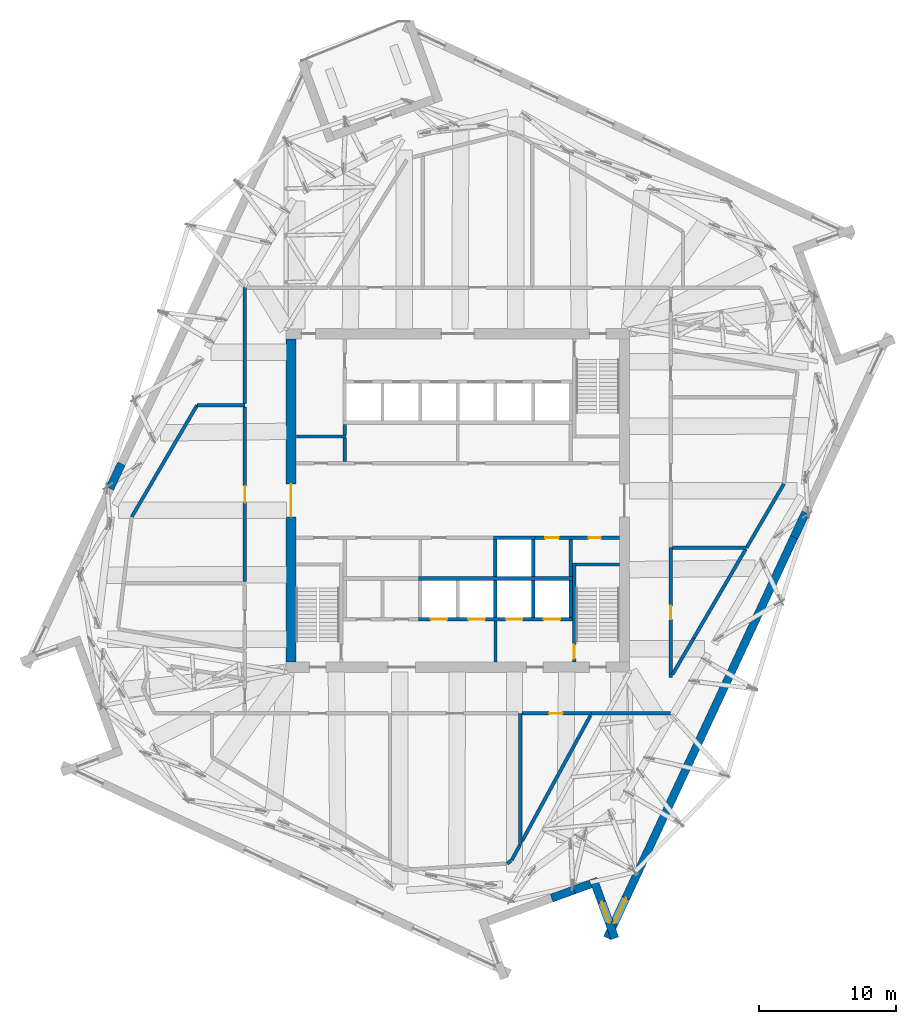
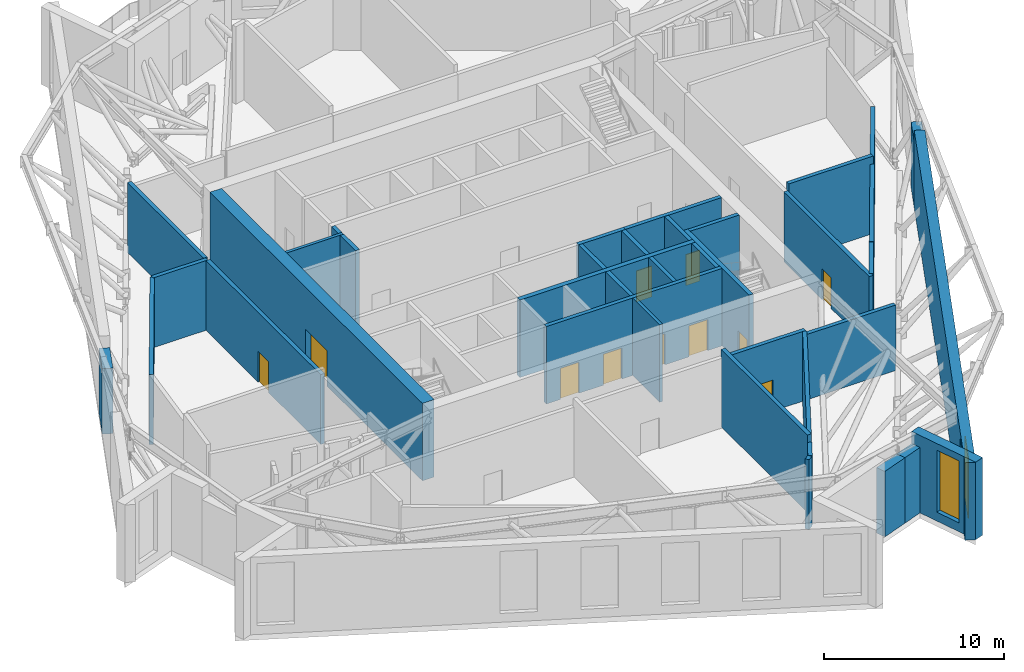
# One storey, part 6 of 15: 38 walls, 11 doors, 2 windows, 13 openings.
"""IFC4 building model written with IfcOpenShell, lengths in metres."""

from ifc_helpers import new_model, si_unit, direction, frame, frame_2d, origin, place, context, subcontext, project, spatial, rectangle, extrude, material, layer, layer_set, type_object, element, fill, save


model = new_model("IFC4")

# Units and contexts
model_context = context("Model", 3, precision=1e-05, world=origin(), true_north=direction((0.0, 1.0)))
body_context = subcontext(model_context, "Body", "Model", "MODEL_VIEW")
ifc_project = project(units=[si_unit("LENGTHUNIT", "METRE"), si_unit("AREAUNIT", "SQUARE_METRE"), si_unit("VOLUMEUNIT", "CUBIC_METRE"), si_unit("PLANEANGLEUNIT", "RADIAN"), si_unit("MASSUNIT", "GRAM", prefix="KILO")], contexts=[model_context])

# Site, building, storey
site_placement = place(None, origin())
site = spatial("IfcSite", under=ifc_project, at=site_placement, CompositionType="ELEMENT")
building_placement = place(site_placement, origin())
building = spatial("IfcBuilding", under=site, at=building_placement, Name="Dilmun Exchange Tower", CompositionType="ELEMENT")
storey_placement = place(building_placement, frame((0.0, 0.0, 290.89990234375)))
storey = spatial("IfcBuildingStorey", under=building, at=storey_placement, Name="L69", CompositionType="ELEMENT", Elevation=290.89990234375)

# Walls
ifc_material_1 = material(Name="Concrete C40/50", Category="concrete")
ifc_layer_1 = layer(ifc_material_1, 0.199951171875)
ifc_layer_set_1 = layer_set([ifc_layer_1], Name="Concrete C40/50")
wall_type_1 = type_object("IfcWallType", Name="Core partition wall 200", PredefinedType="PARTITIONING", material=ifc_layer_set_1)
wall_1_placement = place(storey_placement, frame((2.75, -11.794921875, 0.0), z_axis=(0.0, 0.0, 1.0), x_axis=(0.0, 1.0, 0.0)))
element("IfcWall", 1, at=wall_1_placement, inside=storey, type_object=wall_type_1, Name="L69 core partition wall 01", PredefinedType="PARTITIONING", context=body_context, shape_type="SweptSolid", body=[
    extrude(rectangle(XDim=2.989990234375, YDim=0.199951171875, at=frame_2d((1.4951171875, 0.0))), origin(), (0.0, 0.0, 1.0), 5.25),
])
wall_2_placement = place(storey_placement, frame((-11.794921875, 4.675048828125, 0.0), z_axis=(0.0, 0.0, 1.0), x_axis=(1.0, 0.0, 0.0)))
element("IfcWall", 2, at=wall_2_placement, inside=storey, type_object=wall_type_1, Name="L69 core partition wall 15", PredefinedType="PARTITIONING", context=body_context, shape_type="SweptSolid", body=[
    extrude(rectangle(XDim=3.64501953125, YDim=0.199951171875, at=frame_2d((1.822509765625, 0.0))), origin(), (0.0, 0.0, 1.0), 5.25),
])
ifc_layer_2 = layer(ifc_material_1, 0.25)
ifc_layer_set_2 = layer_set([ifc_layer_2], Name="Concrete C40/50")
wall_type_2 = type_object("IfcWallType", Name="Core partition wall 250", PredefinedType="PARTITIONING", material=ifc_layer_set_2)
wall_3_placement = place(storey_placement, frame((8.25, -5.544921875, 0.0), z_axis=(0.0, 0.0, 1.0), x_axis=(0.0, 1.0, 0.0)))
element("IfcWall", 3, at=wall_3_placement, inside=storey, type_object=wall_type_2, Name="L69 core partition wall 08", PredefinedType="PARTITIONING", context=body_context, shape_type="SweptSolid", body=[
    extrude(rectangle(XDim=2.68994140625, YDim=0.25, at=frame_2d((1.344970703125, 0.0))), origin(), (0.0, 0.0, 1.0), 5.25),
])

# Wall, openings, doors
wall_4_placement = place(storey_placement, frame((5.6298828125, -2.72509765625, 0.0), z_axis=(0.0, 0.0, 1.0), x_axis=(1.0, 0.0, 0.0)))
wall_4 = element("IfcWall", 4, at=wall_4_placement, inside=storey, type_object=wall_type_2, Name="L69 core partition wall 10", PredefinedType="PARTITIONING", context=body_context, shape_type="SweptSolid", body=[
    extrude(rectangle(XDim=6.1650390625, YDim=0.25, at=frame_2d((3.08251953125, 0.0))), origin(), (0.0, 0.0, 1.0), 5.25),
])
opening_1_placement = place(wall_4_placement, frame((0.7451171875, 0.0, 0.0)))
opening_1 = element("IfcOpeningElement", 5, at=opening_1_placement, cuts=wall_4, Name="Opening CD4", PredefinedType="OPENING", context=body_context, shape_type="SweptSolid", body=[
    extrude(rectangle(XDim=1.0, YDim=2.10009765625, at=frame_2d((0.5, 1.050048828125))), frame((0.0, 0.135009765625, 0.0), z_axis=(0.0, -1.0, 0.0), x_axis=(1.0, 0.0, 0.0)), (0.0, 0.0, 1.0), 0.27001953125),
])
opening_2_placement = place(wall_4_placement, frame((3.919921875, 0.0, 0.0)))
opening_2 = element("IfcOpeningElement", 6, at=opening_2_placement, cuts=wall_4, Name="Opening CD6", PredefinedType="OPENING", context=body_context, shape_type="SweptSolid", body=[
    extrude(rectangle(XDim=0.89990234375, YDim=2.10009765625, at=frame_2d((0.449951171875, 1.050048828125))), frame((0.0, 0.135009765625, 0.0), z_axis=(0.0, -1.0, 0.0), x_axis=(1.0, 0.0, 0.0)), (0.0, 0.0, 1.0), 0.27001953125),
])
ifc_material_2 = material(Name="Fire-rated steel door set", Category="steel")
door_type_1 = type_object("IfcDoorType", Name="Core room door 1000x2100", OperationType="SINGLE_SWING_LEFT", PredefinedType="DOOR", material=ifc_material_2)
door_1_placement = place(opening_1_placement, origin())
door_1 = element("IfcDoor", 7, at=door_1_placement, inside=storey, type_object=door_type_1, Name="L69 door Cleaners' store", OperationType="SINGLE_SWING_RIGHT", OverallHeight=2.10009765625, OverallWidth=1.0, PredefinedType="DOOR", context=body_context, shape_type="SweptSolid", body=[
    extrude(rectangle(XDim=1.0, YDim=2.10009765625, at=frame_2d((0.5, 1.050048828125))), frame((0.0, 0.02490234375, 0.0), z_axis=(0.0, -1.0, 0.0), x_axis=(1.0, 0.0, 0.0)), (0.0, 0.0, 1.0), 0.050048828125),
])
fill(opening_1, door_1)
door_type_2 = type_object("IfcDoorType", Name="Core room door 900x2100", OperationType="SINGLE_SWING_LEFT", PredefinedType="DOOR", material=ifc_material_2)
door_2_placement = place(opening_2_placement, origin())
door_2 = element("IfcDoor", 8, at=door_2_placement, inside=storey, type_object=door_type_2, Name="L69 door Comms riser", OperationType="SINGLE_SWING_RIGHT", OverallHeight=2.10009765625, OverallWidth=0.89990234375, PredefinedType="DOOR", context=body_context, shape_type="SweptSolid", body=[
    extrude(rectangle(XDim=0.89990234375, YDim=2.10009765625, at=frame_2d((0.449951171875, 1.050048828125))), frame((0.0, 0.02490234375, 0.0), z_axis=(0.0, -1.0, 0.0), x_axis=(1.0, 0.0, 0.0)), (0.0, 0.0, 1.0), 0.050048828125),
])
fill(opening_2, door_2)

# Walls
wall_5_placement = place(storey_placement, frame((-8.25, 2.85498046875, 0.0), z_axis=(0.0, 0.0, 1.0), x_axis=(0.0, 1.0, 0.0)))
element("IfcWall", 9, at=wall_5_placement, inside=storey, type_object=wall_type_2, Name="L69 core partition wall 12", PredefinedType="PARTITIONING", context=body_context, shape_type="SweptSolid", body=[
    extrude(rectangle(XDim=1.715087890625, YDim=0.25, at=frame_2d((0.857421875, 0.0))), origin(), (0.0, 0.0, 1.0), 5.25),
])
wall_6_placement = place(storey_placement, frame((-8.25, 4.780029296875, 0.0), z_axis=(0.0, 0.0, 1.0), x_axis=(0.0, 1.0, 0.0)))
element("IfcWall", 10, at=wall_6_placement, inside=storey, type_object=wall_type_2, Name="L69 core partition wall 16", PredefinedType="PARTITIONING", context=body_context, shape_type="SweptSolid", body=[
    extrude(rectangle(XDim=0.764892578125, YDim=0.25, at=frame_2d((0.38232421875, 0.0))), origin(), (0.0, 0.0, 1.0), 5.25),
])

# Wall, opening, door
ifc_material_3 = material(Name="Concrete C50/60", Category="concrete")
ifc_layer_3 = layer(ifc_material_3, 0.75)
ifc_layer_set_3 = layer_set([ifc_layer_3], Name="Concrete C50/60")
wall_type_3 = type_object("IfcWallType", Name="Core shear wall 750 Concrete C50/60", PredefinedType="SHEAR", material=ifc_layer_set_3)
wall_7_placement = place(storey_placement, frame((-12.175048828125, -11.800048828125, 0.0), z_axis=(0.0, 0.0, 1.0), x_axis=(0.0, 1.0, 0.0)))
wall_7 = element("IfcWall", 11, at=wall_7_placement, inside=storey, type_object=wall_type_3, Name="L69 core shear wall W", PredefinedType="SHEAR", context=body_context, shape_type="SweptSolid", body=[
    extrude(rectangle(XDim=23.60009765625, YDim=0.75, at=frame_2d((11.800048828125, 0.0))), origin(), (0.0, 0.0, 1.0), 5.25),
])
opening_3_placement = place(wall_7_placement, frame((10.60009765625, 0.0, 0.0)))
opening_3 = element("IfcOpeningElement", 12, at=opening_3_placement, cuts=wall_7, Name="Opening CD1", PredefinedType="OPENING", context=body_context, shape_type="SweptSolid", body=[
    extrude(rectangle(XDim=2.39990234375, YDim=2.39990234375, at=frame_2d((1.199951171875, 1.199951171875))), frame((0.0, 0.385009765625, 0.0), z_axis=(0.0, -1.0, 0.0), x_axis=(1.0, 0.0, 0.0)), (0.0, 0.0, 1.0), 0.77001953125),
])
door_type_3 = type_object("IfcDoorType", Name="Core lobby door 2400x2400", OperationType="DOUBLE_DOOR_DOUBLE_SWING", PredefinedType="DOOR", material=ifc_material_2)
door_3_placement = place(opening_3_placement, origin())
door_3 = element("IfcDoor", 13, at=door_3_placement, inside=storey, type_object=door_type_3, Name="L69 door Central lift lobby", OperationType="SINGLE_SWING_LEFT", OverallHeight=2.39990234375, OverallWidth=2.39990234375, PredefinedType="DOOR", context=body_context, shape_type="SweptSolid", body=[
    extrude(rectangle(XDim=2.39990234375, YDim=2.39990234375, at=frame_2d((1.199951171875, 1.199951171875))), frame((0.0, 0.02490234375, 0.0), z_axis=(0.0, -1.0, 0.0), x_axis=(1.0, 0.0, 0.0)), (0.0, 0.0, 1.0), 0.050048828125),
])
fill(opening_3, door_3)

# Walls
ifc_layer_4 = layer(ifc_material_1, 0.300048828125)
ifc_layer_set_4 = layer_set([ifc_layer_4], Name="Concrete C40/50")
wall_type_4 = type_object("IfcWallType", Name="Lift shaft shared wall 300", PredefinedType="SOLIDWALL", material=ifc_layer_set_4)
wall_8_placement = place(storey_placement, frame((-2.875, -5.699951171875, 0.0), z_axis=(0.0, 0.0, 1.0), x_axis=(1.0, 0.0, 0.0)))
element("IfcWall", 14, at=wall_8_placement, inside=storey, type_object=wall_type_4, Name="L69 lift shaft rear wall S", PredefinedType="SOLIDWALL", context=body_context, shape_type="SweptSolid", body=[
    extrude(rectangle(XDim=11.25, YDim=0.300048828125, at=frame_2d((5.625, 0.0))), origin(), (0.0, 0.0, 1.0), 5.25),
])
ifc_layer_5 = layer(ifc_material_1, 0.25)
ifc_layer_set_5 = layer_set([ifc_layer_5], Name="Concrete C40/50")
wall_type_5 = type_object("IfcWallType", Name="Lift shaft wall 250", PredefinedType="SOLIDWALL", material=ifc_layer_set_5)
wall_9_placement = place(storey_placement, frame((2.625, -2.72509765625, 0.0), z_axis=(0.0, 0.0, 1.0), x_axis=(1.0, 0.0, 0.0)))
element("IfcWall", 15, at=wall_9_placement, inside=storey, type_object=wall_type_5, Name="L69 lift shaft front wall S1", PredefinedType="SOLIDWALL", context=body_context, shape_type="SweptSolid", body=[
    extrude(rectangle(XDim=3.0, YDim=0.25, at=frame_2d((1.5, 0.0))), origin(), (0.0, 0.0, 1.0), 5.25),
])
for number, where, z_axis, x_axis, name in (
    (16, (2.75, -5.550048828125, 0.0), (0.0, 0.0, 1.0), (0.0, 1.0, 0.0), "L69 lift shaft divider S14"),
    (17, (5.5, -5.550048828125, 0.0), (0.0, 0.0, 1.0), (0.0, 1.0, 0.0), "L69 lift shaft divider S15"),
):
    element("IfcWall", number, at=place(storey_placement, frame(where, z_axis=z_axis, x_axis=x_axis)), inside=storey, type_object=wall_type_5, Name=name, PredefinedType="SOLIDWALL", context=body_context, shape_type="SweptSolid", body=[
        extrude(rectangle(XDim=2.699951171875, YDim=0.25, at=frame_2d((1.35009765625, 0.0))), origin(), (0.0, 0.0, 1.0), 5.25),
    ])

# Wall, openings, doors
wall_10_placement = place(storey_placement, frame((-2.875, -8.675048828125, 0.0), z_axis=(0.0, 0.0, 1.0), x_axis=(1.0, 0.0, 0.0)))
wall_10 = element("IfcWall", 18, at=wall_10_placement, inside=storey, type_object=wall_type_5, Name="L69 lift shaft front wall S2", PredefinedType="SOLIDWALL", context=body_context, shape_type="SweptSolid", body=[
    extrude(rectangle(XDim=11.25, YDim=0.25, at=frame_2d((5.625, 0.0))), origin(), (0.0, 0.0, 1.0), 5.25),
])
opening_4_placement = place(wall_10_placement, frame((0.89990234375, 0.0, 0.0)))
opening_4 = element("IfcOpeningElement", 19, at=opening_4_placement, cuts=wall_10, Name="Opening LD", PredefinedType="OPENING", context=body_context, shape_type="SweptSolid", body=[
    extrude(rectangle(XDim=1.199951171875, YDim=2.10009765625, at=frame_2d((0.60009765625, 1.050048828125))), frame((0.0, 0.135009765625, 0.0), z_axis=(0.0, -1.0, 0.0), x_axis=(1.0, 0.0, 0.0)), (0.0, 0.0, 1.0), 0.27001953125),
])
opening_5_placement = place(wall_10_placement, frame((3.64990234375, 0.0, 0.0)))
opening_5 = element("IfcOpeningElement", 20, at=opening_5_placement, cuts=wall_10, Name="Opening LD", PredefinedType="OPENING", context=body_context, shape_type="SweptSolid", body=[
    extrude(rectangle(XDim=1.199951171875, YDim=2.10009765625, at=frame_2d((0.60009765625, 1.050048828125))), frame((0.0, 0.135009765625, 0.0), z_axis=(0.0, -1.0, 0.0), x_axis=(1.0, 0.0, 0.0)), (0.0, 0.0, 1.0), 0.27001953125),
])
opening_6_placement = place(wall_10_placement, frame((6.39990234375, 0.0, 0.0)))
opening_6 = element("IfcOpeningElement", 21, at=opening_6_placement, cuts=wall_10, Name="Opening LD", PredefinedType="OPENING", context=body_context, shape_type="SweptSolid", body=[
    extrude(rectangle(XDim=1.199951171875, YDim=2.10009765625, at=frame_2d((0.60009765625, 1.050048828125))), frame((0.0, 0.135009765625, 0.0), z_axis=(0.0, -1.0, 0.0), x_axis=(1.0, 0.0, 0.0)), (0.0, 0.0, 1.0), 0.27001953125),
])
opening_7_placement = place(wall_10_placement, frame((9.14990234375, 0.0, 0.0)))
opening_7 = element("IfcOpeningElement", 22, at=opening_7_placement, cuts=wall_10, Name="Opening LD", PredefinedType="OPENING", context=body_context, shape_type="SweptSolid", body=[
    extrude(rectangle(XDim=1.199951171875, YDim=2.10009765625, at=frame_2d((0.60009765625, 1.050048828125))), frame((0.0, 0.135009765625, 0.0), z_axis=(0.0, -1.0, 0.0), x_axis=(1.0, 0.0, 0.0)), (0.0, 0.0, 1.0), 0.27001953125),
])
door_type_4 = type_object("IfcDoorType", Name="Lift landing door 1200x2100", OperationType="DOUBLE_DOOR_SLIDING", PredefinedType="DOOR", material=ifc_material_2)
door_4_placement = place(opening_4_placement, origin())
door_4 = element("IfcDoor", 23, at=door_4_placement, inside=storey, type_object=door_type_4, Name="L69 landing door SV1", OperationType="DOUBLE_DOOR_SLIDING", OverallHeight=2.10009765625, OverallWidth=1.199951171875, PredefinedType="DOOR", context=body_context, shape_type="SweptSolid", body=[
    extrude(rectangle(XDim=1.199951171875, YDim=2.10009765625, at=frame_2d((0.60009765625, 1.050048828125))), frame((0.0, 0.02490234375, 0.0), z_axis=(0.0, -1.0, 0.0), x_axis=(1.0, 0.0, 0.0)), (0.0, 0.0, 1.0), 0.050048828125),
])
fill(opening_4, door_4)
door_5_placement = place(opening_5_placement, origin())
door_5 = element("IfcDoor", 24, at=door_5_placement, inside=storey, type_object=door_type_4, Name="L69 landing door SV2", OperationType="DOUBLE_DOOR_SLIDING", OverallHeight=2.10009765625, OverallWidth=1.199951171875, PredefinedType="DOOR", context=body_context, shape_type="SweptSolid", body=[
    extrude(rectangle(XDim=1.199951171875, YDim=2.10009765625, at=frame_2d((0.60009765625, 1.050048828125))), frame((0.0, 0.02490234375, 0.0), z_axis=(0.0, -1.0, 0.0), x_axis=(1.0, 0.0, 0.0)), (0.0, 0.0, 1.0), 0.050048828125),
])
fill(opening_5, door_5)
door_6_placement = place(opening_6_placement, origin())
door_6 = element("IfcDoor", 25, at=door_6_placement, inside=storey, type_object=door_type_4, Name="L69 landing door FF1", OperationType="DOUBLE_DOOR_SLIDING", OverallHeight=2.10009765625, OverallWidth=1.199951171875, PredefinedType="DOOR", context=body_context, shape_type="SweptSolid", body=[
    extrude(rectangle(XDim=1.199951171875, YDim=2.10009765625, at=frame_2d((0.60009765625, 1.050048828125))), frame((0.0, 0.02490234375, 0.0), z_axis=(0.0, -1.0, 0.0), x_axis=(1.0, 0.0, 0.0)), (0.0, 0.0, 1.0), 0.050048828125),
])
fill(opening_6, door_6)
door_7_placement = place(opening_7_placement, origin())
door_7 = element("IfcDoor", 26, at=door_7_placement, inside=storey, type_object=door_type_4, Name="L69 landing door FF2", OperationType="DOUBLE_DOOR_SLIDING", OverallHeight=2.10009765625, OverallWidth=1.199951171875, PredefinedType="DOOR", context=body_context, shape_type="SweptSolid", body=[
    extrude(rectangle(XDim=1.199951171875, YDim=2.10009765625, at=frame_2d((0.60009765625, 1.050048828125))), frame((0.0, 0.02490234375, 0.0), z_axis=(0.0, -1.0, 0.0), x_axis=(1.0, 0.0, 0.0)), (0.0, 0.0, 1.0), 0.050048828125),
])
fill(opening_7, door_7)

# Walls
for number, where, z_axis, x_axis, name in (
    (27, (2.75, -8.550048828125, 0.0), (0.0, 0.0, 1.0), (0.0, 1.0, 0.0), "L69 lift shaft divider S24"),
    (28, (5.5, -8.550048828125, 0.0), (0.0, 0.0, 1.0), (0.0, 1.0, 0.0), "L69 lift shaft divider S25"),
    (29, (8.25, -8.550048828125, 0.0), (0.0, 0.0, 1.0), (0.0, 1.0, 0.0), "L69 lift shaft divider S26"),
):
    element("IfcWall", number, at=place(storey_placement, frame(where, z_axis=z_axis, x_axis=x_axis)), inside=storey, type_object=wall_type_5, Name=name, PredefinedType="SOLIDWALL", context=body_context, shape_type="SweptSolid", body=[
        extrude(rectangle(XDim=2.699951171875, YDim=0.25, at=frame_2d((1.35009765625, 0.0))), origin(), (0.0, 0.0, 1.0), 5.25),
    ])
ifc_material_4 = material(Name="Concrete C32/40", Category="concrete")
ifc_layer_6 = layer(ifc_material_4, 0.25)
ifc_layer_set_6 = layer_set([ifc_layer_6], Name="Concrete C32/40")
wall_type_6 = type_object("IfcWallType", Name="Plant room wall 250", PredefinedType="PARTITIONING", material=ifc_layer_set_6)
wall_11_placement = place(storey_placement, frame((3.607421875, -26.513427734375, 0.0), z_axis=(0.0, 0.0, 1.0), x_axis=(0.805660397695, 0.592377686604, 0.0)))
element("IfcWall", 30, at=wall_11_placement, inside=storey, type_object=wall_type_6, Name="L69 plant room wall 05", PredefinedType="PARTITIONING", context=body_context, shape_type="SweptSolid", body=[
    extrude(rectangle(XDim=0.365234375, YDim=0.25, at=frame_2d((0.1826171875, 0.0))), origin(), (0.0, 0.0, 1.0), 4.72998046875),
])
wall_12_placement = place(storey_placement, frame((3.936279296875, -26.2685546875, 0.0), z_axis=(0.0, 0.0, 1.0), x_axis=(0.478532025141, 0.878070100228, 0.0)))
element("IfcWall", 31, at=wall_12_placement, inside=storey, type_object=wall_type_6, Name="L69 plant room wall 06", PredefinedType="PARTITIONING", context=body_context, shape_type="SweptSolid", body=[
    extrude(rectangle(XDim=1.28271484375, YDim=0.25, at=frame_2d((0.641357421875, 0.0))), origin(), (0.0, 0.0, 1.0), 4.72998046875),
])
wall_13_placement = place(storey_placement, frame((4.550048828125, -25.13671875, 0.0), z_axis=(0.0, 0.0, 1.0), x_axis=(0.0, 1.0, 0.0)))
element("IfcWall", 32, at=wall_13_placement, inside=storey, type_object=wall_type_6, Name="L69 plant room wall 07", PredefinedType="PARTITIONING", context=body_context, shape_type="SweptSolid", body=[
    extrude(rectangle(XDim=9.586669921875, YDim=0.25, at=frame_2d((4.79345703125, 0.0))), origin(), (0.0, 0.0, 1.0), 5.25),
])

# Wall, opening, door
wall_14_placement = place(storey_placement, frame((4.679931640625, -15.550048828125, 0.0), z_axis=(0.0, 0.0, 1.0), x_axis=(1.0, 0.0, 0.0)))
wall_14 = element("IfcWall", 33, at=wall_14_placement, inside=storey, type_object=wall_type_6, Name="L69 plant room wall 14", PredefinedType="PARTITIONING", context=body_context, shape_type="SweptSolid", body=[
    extrude(rectangle(XDim=5.0966796875, YDim=0.25, at=frame_2d((2.54833984375, 0.0))), origin(), (0.0, 0.0, 1.0), 4.72998046875),
])
opening_8_placement = place(wall_14_placement, frame((1.9833984375, 0.0, 0.0)))
opening_8 = element("IfcOpeningElement", 34, at=opening_8_placement, cuts=wall_14, Name="Opening PD1", PredefinedType="OPENING", context=body_context, shape_type="SweptSolid", body=[
    extrude(rectangle(XDim=1.0, YDim=2.10009765625, at=frame_2d((0.5, 1.050048828125))), frame((0.0, 0.135009765625, 0.0), z_axis=(0.0, -1.0, 0.0), x_axis=(1.0, 0.0, 0.0)), (0.0, 0.0, 1.0), 0.27001953125),
])
door_type_5 = type_object("IfcDoorType", Name="Plant room door 1000x2100", OperationType="SINGLE_SWING_LEFT", PredefinedType="DOOR", material=ifc_material_2)
door_8_placement = place(opening_8_placement, origin())
door_8 = element("IfcDoor", 35, at=door_8_placement, inside=storey, type_object=door_type_5, Name="L69 door Mechanical valve room", OperationType="SINGLE_SWING_LEFT", OverallHeight=2.10009765625, OverallWidth=1.0, PredefinedType="DOOR", context=body_context, shape_type="SweptSolid", body=[
    extrude(rectangle(XDim=1.0, YDim=2.10009765625, at=frame_2d((0.5, 1.050048828125))), frame((0.0, 0.02490234375, 0.0), z_axis=(0.0, -1.0, 0.0), x_axis=(1.0, 0.0, 0.0)), (0.0, 0.0, 1.0), 0.050048828125),
])
fill(opening_8, door_8)

# Walls
wall_15_placement = place(storey_placement, frame((4.679931640625, -24.90380859375, 0.0), z_axis=(0.0, 0.0, 1.0), x_axis=(0.478461261154, 0.878108661599, 0.0)))
element("IfcWall", 36, at=wall_15_placement, inside=storey, type_object=wall_type_6, Name="L69 plant room wall 15", PredefinedType="PARTITIONING", context=body_context, shape_type="SweptSolid", body=[
    extrude(rectangle(XDim=10.504150390625, YDim=0.25, at=frame_2d((5.251953125, 0.0))), origin(), (0.0, 0.0, 1.0), 4.72998046875),
])
wall_16_placement = place(storey_placement, frame((9.781494140625, -15.550048828125, 0.0), z_axis=(0.0, 0.0, 1.0), x_axis=(1.0, 0.0, 0.0)))
element("IfcWall", 37, at=wall_16_placement, inside=storey, type_object=wall_type_6, Name="L69 plant room wall 16", PredefinedType="PARTITIONING", context=body_context, shape_type="SweptSolid", body=[
    extrude(rectangle(XDim=5.7685546875, YDim=0.25, at=frame_2d((2.88427734375, 0.0))), origin(), (0.0, 0.0, 1.0), 4.43017578125),
])

# Wall, opening, door
wall_17_placement = place(storey_placement, frame((15.550048828125, -12.930419921875, 0.0), z_axis=(0.0, 0.0, 1.0), x_axis=(0.0, 1.0, 0.0)))
wall_17 = element("IfcWall", 38, at=wall_17_placement, inside=storey, type_object=wall_type_6, Name="L69 plant room wall 21", PredefinedType="PARTITIONING", context=body_context, shape_type="SweptSolid", body=[
    extrude(rectangle(XDim=9.48046875, YDim=0.25, at=frame_2d((4.740234375, 0.0))), origin(), (0.0, 0.0, 1.0), 4.72998046875),
])
opening_9_placement = place(wall_17_placement, frame((4.240234375, 0.0, 0.0)))
opening_9 = element("IfcOpeningElement", 39, at=opening_9_placement, cuts=wall_17, Name="Opening PD1", PredefinedType="OPENING", context=body_context, shape_type="SweptSolid", body=[
    extrude(rectangle(XDim=1.0, YDim=2.10009765625, at=frame_2d((0.5, 1.050048828125))), frame((0.0, 0.135009765625, 0.0), z_axis=(0.0, -1.0, 0.0), x_axis=(1.0, 0.0, 0.0)), (0.0, 0.0, 1.0), 0.27001953125),
])
door_9_placement = place(opening_9_placement, origin())
door_9 = element("IfcDoor", 40, at=door_9_placement, inside=storey, type_object=door_type_5, Name="L69 door Plant BMS control room", OperationType="SINGLE_SWING_RIGHT", OverallHeight=2.10009765625, OverallWidth=1.0, PredefinedType="DOOR", context=body_context, shape_type="SweptSolid", body=[
    extrude(rectangle(XDim=1.0, YDim=2.10009765625, at=frame_2d((0.5, 1.050048828125))), frame((0.0, 0.02490234375, 0.0), z_axis=(0.0, -1.0, 0.0), x_axis=(1.0, 0.0, 0.0)), (0.0, 0.0, 1.0), 0.050048828125),
])
fill(opening_9, door_9)

# Walls
wall_18_placement = place(storey_placement, frame((15.679931640625, -12.7080078125, 0.0), z_axis=(0.0, 0.0, 1.0), x_axis=(0.504610530245, 0.863347098661, 0.0)))
element("IfcWall", 41, at=wall_18_placement, inside=storey, type_object=wall_type_6, Name="L69 plant room wall 30", PredefinedType="PARTITIONING", context=body_context, shape_type="SweptSolid", body=[
    extrude(rectangle(XDim=3.057861328125, YDim=0.25, at=frame_2d((1.52880859375, 0.0))), origin(), (0.0, 0.0, 1.0), 4.72998046875),
])
wall_19_placement = place(storey_placement, frame((15.679931640625, -3.449951171875, 0.0), z_axis=(0.0, 0.0, 1.0), x_axis=(1.0, 0.0, 0.0)))
element("IfcWall", 42, at=wall_19_placement, inside=storey, type_object=wall_type_6, Name="L69 plant room wall 36", PredefinedType="PARTITIONING", context=body_context, shape_type="SweptSolid", body=[
    extrude(rectangle(XDim=5.411865234375, YDim=0.25, at=frame_2d((2.7060546875, 0.0))), origin(), (0.0, 0.0, 1.0), 5.25),
])
wall_20_placement = place(storey_placement, frame((17.2255859375, -10.063720703125, 0.0), z_axis=(0.0, 0.0, 1.0), x_axis=(0.504657076942, 0.863319891287, 0.0)))
element("IfcWall", 43, at=wall_20_placement, inside=storey, type_object=wall_type_6, Name="L69 plant room wall 37", PredefinedType="PARTITIONING", context=body_context, shape_type="SweptSolid", body=[
    extrude(rectangle(XDim=7.510009765625, YDim=0.25, at=frame_2d((3.7548828125, 0.0))), origin(), (0.0, 0.0, 1.0), 4.72998046875),
])
wall_21_placement = place(storey_placement, frame((-23.813720703125, -1.206787109375, 0.0), z_axis=(0.0, 0.0, 1.0), x_axis=(0.504658070469, 0.863319310516, 0.0)))
element("IfcWall", 44, at=wall_21_placement, inside=storey, type_object=wall_type_6, Name="L69 plant room wall 38", PredefinedType="PARTITIONING", context=body_context, shape_type="SweptSolid", body=[
    extrude(rectangle(XDim=9.447998046875, YDim=0.25, at=frame_2d((4.72412109375, 0.0))), origin(), (0.0, 0.0, 1.0), 4.72998046875),
])
wall_22_placement = place(storey_placement, frame((21.0966796875, -3.44140625, 0.0), z_axis=(0.0, 0.0, 1.0), x_axis=(0.504676330885, 0.86330863603, 0.0)))
element("IfcWall", 45, at=wall_22_placement, inside=storey, type_object=wall_type_6, Name="L69 plant room wall 39", PredefinedType="PARTITIONING", context=body_context, shape_type="SweptSolid", body=[
    extrude(rectangle(XDim=5.3896484375, YDim=0.25, at=frame_2d((2.69482421875, 0.0))), origin(), (0.0, 0.0, 1.0), 4.72998046875),
])
wall_23_placement = place(storey_placement, frame((-19.035888671875, 6.949951171875, 0.0), z_axis=(0.0, 0.0, 1.0), x_axis=(1.0, 0.0, 0.0)))
element("IfcWall", 46, at=wall_23_placement, inside=storey, type_object=wall_type_6, Name="L69 plant room wall 40", PredefinedType="PARTITIONING", context=body_context, shape_type="SweptSolid", body=[
    extrude(rectangle(XDim=3.48583984375, YDim=0.25, at=frame_2d((1.742919921875, 0.0))), origin(), (0.0, 0.0, 1.0), 4.72998046875),
])

# Wall, opening, door
wall_24_placement = place(storey_placement, frame((-15.550048828125, -5.919921875, 0.0), z_axis=(0.0, 0.0, 1.0), x_axis=(0.0, 1.0, 0.0)))
wall_24 = element("IfcWall", 47, at=wall_24_placement, inside=storey, type_object=wall_type_6, Name="L69 plant room wall 41", PredefinedType="PARTITIONING", context=body_context, shape_type="SweptSolid", body=[
    extrude(rectangle(XDim=12.739990234375, YDim=0.25, at=frame_2d((6.3701171875, 0.0))), origin(), (0.0, 0.0, 1.0), 4.72998046875),
])
opening_10_placement = place(wall_24_placement, frame((5.77001953125, 0.0, 0.0)))
opening_10 = element("IfcOpeningElement", 48, at=opening_10_placement, cuts=wall_24, Name="Opening PD2", PredefinedType="OPENING", context=body_context, shape_type="SweptSolid", body=[
    extrude(rectangle(XDim=1.199951171875, YDim=2.10009765625, at=frame_2d((0.60009765625, 1.050048828125))), frame((0.0, 0.135009765625, 0.0), z_axis=(0.0, -1.0, 0.0), x_axis=(1.0, 0.0, 0.0)), (0.0, 0.0, 1.0), 0.27001953125),
])
door_type_6 = type_object("IfcDoorType", Name="Plant room door 1200x2100", OperationType="SINGLE_SWING_LEFT", PredefinedType="DOOR", material=ifc_material_2)
door_10_placement = place(opening_10_placement, origin())
door_10 = element("IfcDoor", 49, at=door_10_placement, inside=storey, type_object=door_type_6, Name="L69 door AHU room", OperationType="SINGLE_SWING_RIGHT", OverallHeight=2.10009765625, OverallWidth=1.199951171875, PredefinedType="DOOR", context=body_context, shape_type="SweptSolid", body=[
    extrude(rectangle(XDim=1.199951171875, YDim=2.10009765625, at=frame_2d((0.60009765625, 1.050048828125))), frame((0.0, 0.02490234375, 0.0), z_axis=(0.0, -1.0, 0.0), x_axis=(1.0, 0.0, 0.0)), (0.0, 0.0, 1.0), 0.050048828125),
])
fill(opening_10, door_10)

# Walls
wall_25_placement = place(storey_placement, frame((-15.550048828125, 7.080078125, 0.0), z_axis=(0.0, 0.0, 1.0), x_axis=(0.0, 1.0, 0.0)))
element("IfcWall", 50, at=wall_25_placement, inside=storey, type_object=wall_type_6, Name="L69 plant room wall 58", PredefinedType="PARTITIONING", context=body_context, shape_type="SweptSolid", body=[
    extrude(rectangle(XDim=8.469970703125, YDim=0.25, at=frame_2d((4.23486328125, 0.0))), origin(), (0.0, 0.0, 1.0), 4.72998046875),
])
ifc_material_5 = material(Name="Precast concrete C50/60", Category="concrete")
ifc_layer_7 = layer(ifc_material_5, 0.60009765625)
ifc_layer_set_7 = layer_set([ifc_layer_7], Name="Precast concrete C50/60")
wall_type_7 = type_object("IfcWallType", Name="Precast stone-clad wall 600", PredefinedType="STANDARD", material=ifc_layer_set_7)
wall_26_placement = place(storey_placement, frame((-24.566162109375, 2.68701171875, 0.0), z_axis=(0.0, 0.0, 1.0), x_axis=(-0.422597096173, -0.906317656402, 0.0)))
element("IfcWall", 51, at=wall_26_placement, inside=storey, type_object=wall_type_7, Name="Facade wall L69-03b", PredefinedType="STANDARD", context=body_context, shape_type="SweptSolid", body=[
    extrude(rectangle(XDim=1.9931640625, YDim=0.60009765625, at=frame_2d((0.99658203125, 0.0))), origin(), (0.0, 0.0, 1.0), 4.43603515625),
])
wall_27_placement = place(storey_placement, frame((6.856201171875, -29.04248046875, 0.0), z_axis=(0.0, 0.0, 1.0), x_axis=(0.939735992337, 0.341900957451, 0.0)))
element("IfcWall", 52, at=wall_27_placement, inside=storey, type_object=wall_type_7, Name="Facade wall L69-09b", PredefinedType="STANDARD", context=body_context, shape_type="SweptSolid", body=[
    extrude(rectangle(XDim=1.738037109375, YDim=0.60009765625, at=frame_2d((0.869140625, 0.0))), origin(), (0.0, 0.0, 1.0), 4.43603515625),
])
wall_28_placement = place(storey_placement, frame((8.489501953125, -28.4482421875, 0.0), z_axis=(0.0, 0.0, 1.0), x_axis=(0.939672502629, 0.342075412451, 0.0)))
element("IfcWall", 53, at=wall_28_placement, inside=storey, type_object=wall_type_7, Name="Facade wall L69-09c", PredefinedType="STANDARD", context=body_context, shape_type="SweptSolid", body=[
    extrude(rectangle(XDim=1.297607421875, YDim=0.60009765625, at=frame_2d((0.64892578125, 0.0))), origin(), (0.0, 0.0, 1.0), 4.43603515625),
])

# Wall, opening, window
wall_29_placement = place(storey_placement, frame((9.88818359375, -27.619873046875, 0.0), z_axis=(0.0, 0.0, 1.0), x_axis=(0.341975639159, -0.939708817784, 0.0)))
wall_29 = element("IfcWall", 54, at=wall_29_placement, inside=storey, type_object=wall_type_7, Name="Facade wall L69-10", PredefinedType="STANDARD", context=body_context, shape_type="SweptSolid", body=[
    extrude(rectangle(XDim=4.635498046875, YDim=0.60009765625, at=frame_2d((2.31787109375, 0.0))), origin(), (0.0, 0.0, 1.0), 5.25),
])
opening_11_placement = place(wall_29_placement, frame((1.81787109375, 0.0, 0.60009765625)))
opening_11 = element("IfcOpeningElement", 55, at=opening_11_placement, cuts=wall_29, Name="Opening LV160-420", PredefinedType="OPENING", context=body_context, shape_type="SweptSolid", body=[
    extrude(rectangle(XDim=1.60009765625, YDim=4.199951171875, at=frame_2d((0.800048828125, 2.10009765625))), frame((0.0, 0.31005859375, 0.0), z_axis=(0.0, -1.0, 0.0), x_axis=(1.0, 0.0, 0.0)), (0.0, 0.0, 1.0), 0.6201171875),
])
ifc_material_6 = material(Name="Anodised aluminium louvre blades with sand trap", Category="aluminium")
window_type_1 = type_object("IfcWindowType", Name="Plant louvre 1600 x 4200", PartitioningType="SINGLE_PANEL", PredefinedType="USERDEFINED", material=ifc_material_6)
window_1_placement = place(opening_11_placement, origin())
window_1 = element("IfcWindow", 56, at=window_1_placement, inside=storey, type_object=window_type_1, Name="Plant louvre 11.1", ObjectType="LOUVRE", OverallHeight=4.199951171875, OverallWidth=1.60009765625, PartitioningType="SINGLE_PANEL", PredefinedType="USERDEFINED", context=body_context, shape_type="SweptSolid", body=[
    extrude(rectangle(XDim=1.60009765625, YDim=4.199951171875, at=frame_2d((0.800048828125, 2.10009765625))), frame((0.0, 0.030029296875, 0.0), z_axis=(0.0, -1.0, 0.0), x_axis=(1.0, 0.0, 0.0)), (0.0, 0.0, 1.0), 0.06005859375),
])
fill(opening_11, window_1)

wall_30_placement = place(storey_placement, frame((10.919677734375, -31.95166015625, 0.0), z_axis=(0.0, 0.0, 1.0), x_axis=(0.422622196878, 0.906305952042, 0.0)))
wall_30 = element("IfcWall", 57, at=wall_30_placement, inside=storey, type_object=wall_type_7, Name="Facade wall L69-11a", PredefinedType="STANDARD", context=body_context, shape_type="SweptSolid", body=[
    extrude(rectangle(XDim=32.2900390625, YDim=0.60009765625, at=frame_2d((16.14501953125, 0.0))), origin(), (0.0, 0.0, 1.0), 5.25),
])
opening_12_placement = place(wall_30_placement, frame((1.212890625, 0.0, 0.60009765625)))
opening_12 = element("IfcOpeningElement", 58, at=opening_12_placement, cuts=wall_30, Name="Opening LV200-420", PredefinedType="OPENING", context=body_context, shape_type="SweptSolid", body=[
    extrude(rectangle(XDim=2.0, YDim=4.199951171875, at=frame_2d((1.0, 2.10009765625))), frame((0.0, 0.31005859375, 0.0), z_axis=(0.0, -1.0, 0.0), x_axis=(1.0, 0.0, 0.0)), (0.0, 0.0, 1.0), 0.6201171875),
])
window_type_2 = type_object("IfcWindowType", Name="Plant louvre 2000 x 4200", PartitioningType="SINGLE_PANEL", PredefinedType="USERDEFINED", material=ifc_material_6)
window_2_placement = place(opening_12_placement, origin())
window_2 = element("IfcWindow", 59, at=window_2_placement, inside=storey, type_object=window_type_2, Name="Plant louvre 12.1", ObjectType="LOUVRE", OverallHeight=4.199951171875, OverallWidth=2.0, PartitioningType="SINGLE_PANEL", PredefinedType="USERDEFINED", context=body_context, shape_type="SweptSolid", body=[
    extrude(rectangle(XDim=2.0, YDim=4.199951171875, at=frame_2d((1.0, 2.10009765625))), frame((0.0, 0.030029296875, 0.0), z_axis=(0.0, -1.0, 0.0), x_axis=(1.0, 0.0, 0.0)), (0.0, 0.0, 1.0), 0.06005859375),
])
fill(opening_12, window_2)

# Walls
wall_31_placement = place(storey_placement, frame((24.566162109375, -2.68701171875, 0.0), z_axis=(0.0, 0.0, 1.0), x_axis=(0.422597096173, 0.906317656402, 0.0)))
element("IfcWall", 60, at=wall_31_placement, inside=storey, type_object=wall_type_7, Name="Facade wall L69-11b", PredefinedType="STANDARD", context=body_context, shape_type="SweptSolid", body=[
    extrude(rectangle(XDim=1.9931640625, YDim=0.60009765625, at=frame_2d((0.99658203125, 0.0))), origin(), (0.0, 0.0, 1.0), 4.43603515625),
])
ifc_layer_8 = layer(ifc_material_1, 0.25)
ifc_layer_set_8 = layer_set([ifc_layer_8], Name="Concrete C40/50")
wall_type_8 = type_object("IfcWallType", Name="Stair end wall 250", PredefinedType="SOLIDWALL", material=ifc_layer_set_8)
wall_32_placement = place(storey_placement, frame((8.64990234375, -4.675048828125, 0.0), z_axis=(0.0, 0.0, 1.0), x_axis=(1.0, 0.0, 0.0)))
element("IfcWall", 61, at=wall_32_placement, inside=storey, type_object=wall_type_8, Name="L69 ST3 far wall", PredefinedType="SOLIDWALL", context=body_context, shape_type="SweptSolid", body=[
    extrude(rectangle(XDim=3.150146484375, YDim=0.25, at=frame_2d((1.5751953125, 0.0))), origin(), (0.0, 0.0, 1.0), 5.25),
])

# Wall, opening, door
ifc_layer_9 = layer(ifc_material_1, 0.27490234375)
ifc_layer_set_9 = layer_set([ifc_layer_9], Name="Concrete C40/50")
wall_type_9 = type_object("IfcWallType", Name="Stair wall 275", PredefinedType="SOLIDWALL", material=ifc_layer_set_9)
wall_33_placement = place(storey_placement, frame((8.512451171875, -4.550048828125, 0.0), z_axis=(0.0, 0.0, 1.0), x_axis=(0.0, -1.0, 0.0)))
wall_33 = element("IfcWall", 62, at=wall_33_placement, inside=storey, type_object=wall_type_9, Name="L69 ST3 wall to lift block", PredefinedType="SOLIDWALL", context=body_context, shape_type="SweptSolid", body=[
    extrude(rectangle(XDim=7.25, YDim=0.27490234375, at=frame_2d((3.625, 0.0))), origin(), (0.0, 0.0, 1.0), 5.25),
])
opening_13_placement = place(wall_33_placement, frame((6.0, 0.0, 0.0)))
opening_13 = element("IfcOpeningElement", 63, at=opening_13_placement, cuts=wall_33, Name="Opening CD4", PredefinedType="OPENING", context=body_context, shape_type="SweptSolid", body=[
    extrude(rectangle(XDim=1.0, YDim=2.10009765625, at=frame_2d((0.5, 1.050048828125))), frame((0.0, 0.1474609375, 0.0), z_axis=(0.0, -1.0, 0.0), x_axis=(1.0, 0.0, 0.0)), (0.0, 0.0, 1.0), 0.294921875),
])
door_11_placement = place(opening_13_placement, origin())
door_11 = element("IfcDoor", 64, at=door_11_placement, inside=storey, type_object=door_type_1, Name="L69 door ST3 from lobby", OperationType="SINGLE_SWING_LEFT", OverallHeight=2.10009765625, OverallWidth=1.0, PredefinedType="DOOR", context=body_context, shape_type="SweptSolid", body=[
    extrude(rectangle(XDim=1.0, YDim=2.10009765625, at=frame_2d((0.5, 1.050048828125))), frame((0.0, 0.02490234375, 0.0), z_axis=(0.0, -1.0, 0.0), x_axis=(1.0, 0.0, 0.0)), (0.0, 0.0, 1.0), 0.050048828125),
])
fill(opening_13, door_11)

save(model, "model.ifc")
